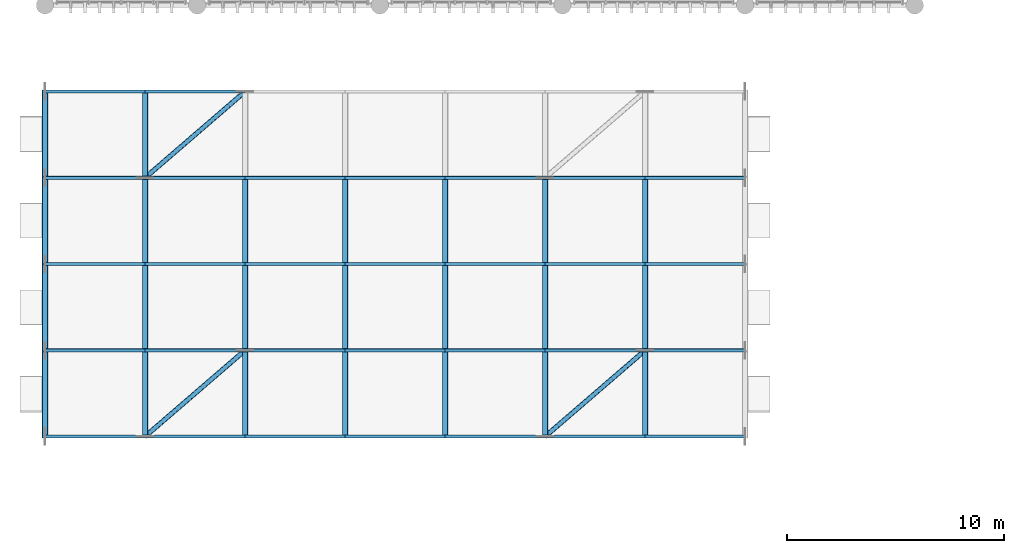
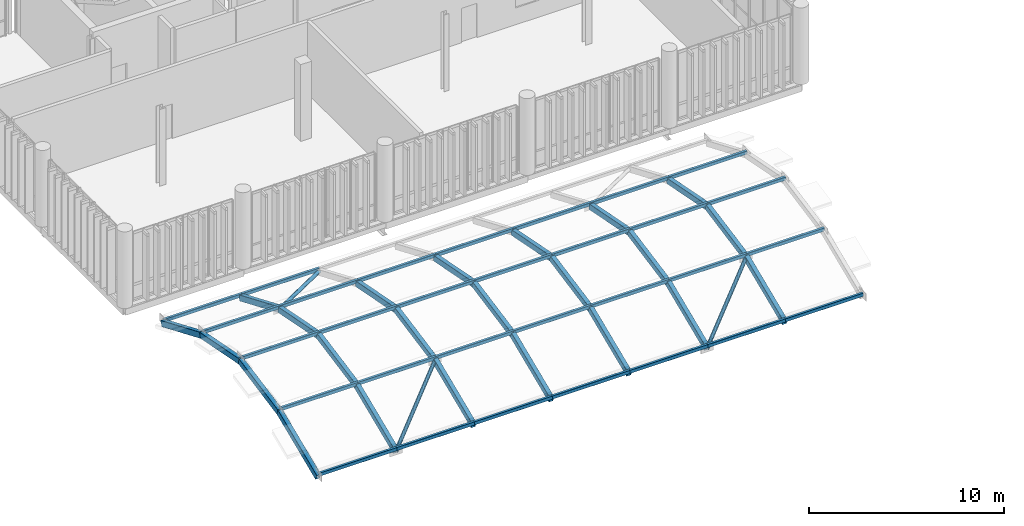
# One storey, part 11 of 94: 33 members, 23 beams.
"""IFC4 building model written with IfcOpenShell, lengths in metres."""

from ifc_helpers import new_model, si_unit, direction, frame, origin_with_axes, origin_2d_with_axis, place, context, subcontext, project, spatial, hollow_rectangle, hollow_circle, extrude, material, material_profile, profile_set, type_object, element, save


model = new_model("IFC4")

# Units and contexts
model_context = context("Model", 3, precision=1e-05, world=origin_with_axes(), true_north=direction((0.0, 1.0)))
body_context = subcontext(model_context, "Body", "Model", "MODEL_VIEW")
ifc_project = project(units=[si_unit("LENGTHUNIT", "METRE"), si_unit("AREAUNIT", "SQUARE_METRE"), si_unit("VOLUMEUNIT", "CUBIC_METRE"), si_unit("PLANEANGLEUNIT", "RADIAN"), si_unit("MASSUNIT", "GRAM", prefix="KILO"), si_unit("THERMODYNAMICTEMPERATUREUNIT", "KELVIN")], contexts=[model_context])

# Site, building, storey
site_placement = place(None, origin_with_axes())
site = spatial("IfcSite", under=ifc_project, at=site_placement, CompositionType="ELEMENT")
building_placement = place(site_placement, origin_with_axes())
building = spatial("IfcBuilding", under=site, at=building_placement, Name="Montbau Bow Law Courts", CompositionType="ELEMENT")
storey_placement = place(building_placement, frame((0.0, 0.0, 15.6), z_axis=(0.0, 0.0, 1.0), x_axis=(1.0, 0.0, 0.0)))
storey = spatial("IfcBuildingStorey", under=building, at=storey_placement, Name="L03", CompositionType="ELEMENT", Elevation=15.6)

# Beams
ifc_material = material(Name="Steel CSA G40.21 Grade 350WT (350 MPa)", Category="steel")
ifc_material_profile_1 = material_profile(ifc_material, hollow_rectangle(XDim=0.254, YDim=0.356, WallThickness=0.0127, InnerFilletRadius=0.0254, OuterFilletRadius=0.0127, at=origin_2d_with_axis()), Name="HSS356X254X13", Category="Main", Priority=0)
ifc_profile_set_1 = profile_set([ifc_material_profile_1], Name="Steel CSA G40.21 Grade 350WT (350 MPa)")
beam_type = type_object("IfcBeamType", Name="B-ARC-01", PredefinedType="USERDEFINED", material=ifc_profile_set_1)
beam_1_placement = place(None, frame((6.8, 10.767, 16.836), z_axis=(0.0, 0.921210714, 0.389064031), x_axis=(-1.0, 0.0, 0.0)))
element("IfcBeam", 1, at=beam_1_placement, inside=storey, type_object=beam_type, Name="Barrel vault roof truss arch rib V1-002", ObjectType="ARCH_RIB", PredefinedType="USERDEFINED", context=body_context, shape_type="SweptSolid", body=[
    extrude(hollow_rectangle(XDim=0.254, YDim=0.356, WallThickness=0.0127, InnerFilletRadius=0.0254, OuterFilletRadius=0.0127, at=origin_2d_with_axis()), origin_with_axes(), (0.0, 0.0, 1.0), 4.305204),
])
for number, where, z_axis, x_axis, name in (
    (2, (6.8, 14.733, 18.511), (0.0, 0.981492861, 0.191498733), (-1.0, 0.0, 0.0), "Barrel vault roof truss arch rib V1-003"),
    (3, (6.8, 18.7, 19.285), (0.0, 0.981492861, -0.191498733), (-1.0, 0.0, 0.0), "Barrel vault roof truss arch rib V1-004"),
):
    element("IfcBeam", number, at=place(None, frame(where, z_axis=z_axis, x_axis=x_axis)), inside=storey, type_object=beam_type, Name=name, ObjectType="ARCH_RIB", PredefinedType="USERDEFINED", context=body_context, shape_type="SweptSolid", body=[
        extrude(hollow_rectangle(XDim=0.254, YDim=0.356, WallThickness=0.0127, InnerFilletRadius=0.0254, OuterFilletRadius=0.0127, at=origin_2d_with_axis()), origin_with_axes(), (0.0, 0.0, 1.0), 4.041802),
    ])
for number, where, z_axis, x_axis, name in (
    (4, (6.8, 22.667, 18.511), (0.0, 0.921210714, -0.389064031), (-1.0, 0.0, 0.0), "Barrel vault roof truss arch rib V1-005"),
    (5, (11.4, 10.767, 16.836), (0.0, 0.921210714, 0.389064031), (-1.0, 0.0, 0.0), "Barrel vault roof truss arch rib V1-008"),
):
    element("IfcBeam", number, at=place(None, frame(where, z_axis=z_axis, x_axis=x_axis)), inside=storey, type_object=beam_type, Name=name, ObjectType="ARCH_RIB", PredefinedType="USERDEFINED", context=body_context, shape_type="SweptSolid", body=[
        extrude(hollow_rectangle(XDim=0.254, YDim=0.356, WallThickness=0.0127, InnerFilletRadius=0.0254, OuterFilletRadius=0.0127, at=origin_2d_with_axis()), origin_with_axes(), (0.0, 0.0, 1.0), 4.305204),
    ])
for number, where, z_axis, x_axis, name in (
    (6, (11.4, 14.733, 18.511), (0.0, 0.981492861, 0.191498733), (-1.0, 0.0, 0.0), "Barrel vault roof truss arch rib V1-009"),
    (7, (11.4, 18.7, 19.285), (0.0, 0.981492861, -0.191498733), (-1.0, 0.0, 0.0), "Barrel vault roof truss arch rib V1-010"),
):
    element("IfcBeam", number, at=place(None, frame(where, z_axis=z_axis, x_axis=x_axis)), inside=storey, type_object=beam_type, Name=name, ObjectType="ARCH_RIB", PredefinedType="USERDEFINED", context=body_context, shape_type="SweptSolid", body=[
        extrude(hollow_rectangle(XDim=0.254, YDim=0.356, WallThickness=0.0127, InnerFilletRadius=0.0254, OuterFilletRadius=0.0127, at=origin_2d_with_axis()), origin_with_axes(), (0.0, 0.0, 1.0), 4.041802),
    ])
for number, where, z_axis, x_axis, name in (
    (8, (11.4, 22.667, 18.511), (0.0, 0.921210714, -0.389064031), (-1.0, 0.0, 0.0), "Barrel vault roof truss arch rib V1-011"),
    (9, (16.0, 10.767, 16.836), (0.0, 0.921210714, 0.389064031), (-1.0, 0.0, 0.0), "Barrel vault roof truss arch rib V1-014"),
):
    element("IfcBeam", number, at=place(None, frame(where, z_axis=z_axis, x_axis=x_axis)), inside=storey, type_object=beam_type, Name=name, ObjectType="ARCH_RIB", PredefinedType="USERDEFINED", context=body_context, shape_type="SweptSolid", body=[
        extrude(hollow_rectangle(XDim=0.254, YDim=0.356, WallThickness=0.0127, InnerFilletRadius=0.0254, OuterFilletRadius=0.0127, at=origin_2d_with_axis()), origin_with_axes(), (0.0, 0.0, 1.0), 4.305204),
    ])
for number, where, z_axis, x_axis, name in (
    (10, (16.0, 14.733, 18.511), (0.0, 0.981492861, 0.191498733), (-1.0, 0.0, 0.0), "Barrel vault roof truss arch rib V1-015"),
    (11, (16.0, 18.7, 19.285), (0.0, 0.981492861, -0.191498733), (-1.0, 0.0, 0.0), "Barrel vault roof truss arch rib V1-016"),
):
    element("IfcBeam", number, at=place(None, frame(where, z_axis=z_axis, x_axis=x_axis)), inside=storey, type_object=beam_type, Name=name, ObjectType="ARCH_RIB", PredefinedType="USERDEFINED", context=body_context, shape_type="SweptSolid", body=[
        extrude(hollow_rectangle(XDim=0.254, YDim=0.356, WallThickness=0.0127, InnerFilletRadius=0.0254, OuterFilletRadius=0.0127, at=origin_2d_with_axis()), origin_with_axes(), (0.0, 0.0, 1.0), 4.041802),
    ])
beam_2_placement = place(None, frame((20.6, 10.767, 16.836), z_axis=(0.0, 0.921210714, 0.389064031), x_axis=(-1.0, 0.0, 0.0)))
element("IfcBeam", 12, at=beam_2_placement, inside=storey, type_object=beam_type, Name="Barrel vault roof truss arch rib V1-020", ObjectType="ARCH_RIB", PredefinedType="USERDEFINED", context=body_context, shape_type="SweptSolid", body=[
    extrude(hollow_rectangle(XDim=0.254, YDim=0.356, WallThickness=0.0127, InnerFilletRadius=0.0254, OuterFilletRadius=0.0127, at=origin_2d_with_axis()), origin_with_axes(), (0.0, 0.0, 1.0), 4.305204),
])
for number, where, z_axis, x_axis, name in (
    (13, (20.6, 14.733, 18.511), (0.0, 0.981492861, 0.191498733), (-1.0, 0.0, 0.0), "Barrel vault roof truss arch rib V1-021"),
    (14, (20.6, 18.7, 19.285), (0.0, 0.981492861, -0.191498733), (-1.0, 0.0, 0.0), "Barrel vault roof truss arch rib V1-022"),
):
    element("IfcBeam", number, at=place(None, frame(where, z_axis=z_axis, x_axis=x_axis)), inside=storey, type_object=beam_type, Name=name, ObjectType="ARCH_RIB", PredefinedType="USERDEFINED", context=body_context, shape_type="SweptSolid", body=[
        extrude(hollow_rectangle(XDim=0.254, YDim=0.356, WallThickness=0.0127, InnerFilletRadius=0.0254, OuterFilletRadius=0.0127, at=origin_2d_with_axis()), origin_with_axes(), (0.0, 0.0, 1.0), 4.041802),
    ])
beam_3_placement = place(None, frame((25.2, 10.767, 16.836), z_axis=(0.0, 0.921210714, 0.389064031), x_axis=(-1.0, 0.0, 0.0)))
element("IfcBeam", 15, at=beam_3_placement, inside=storey, type_object=beam_type, Name="Barrel vault roof truss arch rib V1-026", ObjectType="ARCH_RIB", PredefinedType="USERDEFINED", context=body_context, shape_type="SweptSolid", body=[
    extrude(hollow_rectangle(XDim=0.254, YDim=0.356, WallThickness=0.0127, InnerFilletRadius=0.0254, OuterFilletRadius=0.0127, at=origin_2d_with_axis()), origin_with_axes(), (0.0, 0.0, 1.0), 4.305204),
])
for number, where, z_axis, x_axis, name in (
    (16, (25.2, 14.733, 18.511), (0.0, 0.981492861, 0.191498733), (-1.0, 0.0, 0.0), "Barrel vault roof truss arch rib V1-027"),
    (17, (25.2, 18.7, 19.285), (0.0, 0.981492861, -0.191498733), (-1.0, 0.0, 0.0), "Barrel vault roof truss arch rib V1-028"),
):
    element("IfcBeam", number, at=place(None, frame(where, z_axis=z_axis, x_axis=x_axis)), inside=storey, type_object=beam_type, Name=name, ObjectType="ARCH_RIB", PredefinedType="USERDEFINED", context=body_context, shape_type="SweptSolid", body=[
        extrude(hollow_rectangle(XDim=0.254, YDim=0.356, WallThickness=0.0127, InnerFilletRadius=0.0254, OuterFilletRadius=0.0127, at=origin_2d_with_axis()), origin_with_axes(), (0.0, 0.0, 1.0), 4.041802),
    ])
beam_4_placement = place(None, frame((29.8, 10.767, 16.836), z_axis=(0.0, 0.921210714, 0.389064031), x_axis=(-1.0, 0.0, 0.0)))
element("IfcBeam", 18, at=beam_4_placement, inside=storey, type_object=beam_type, Name="Barrel vault roof truss arch rib V1-032", ObjectType="ARCH_RIB", PredefinedType="USERDEFINED", context=body_context, shape_type="SweptSolid", body=[
    extrude(hollow_rectangle(XDim=0.254, YDim=0.356, WallThickness=0.0127, InnerFilletRadius=0.0254, OuterFilletRadius=0.0127, at=origin_2d_with_axis()), origin_with_axes(), (0.0, 0.0, 1.0), 4.305204),
])
for number, where, z_axis, x_axis, name in (
    (19, (29.8, 14.733, 18.511), (0.0, 0.981492861, 0.191498733), (-1.0, 0.0, 0.0), "Barrel vault roof truss arch rib V1-033"),
    (20, (29.8, 18.7, 19.285), (0.0, 0.981492861, -0.191498733), (-1.0, 0.0, 0.0), "Barrel vault roof truss arch rib V1-034"),
):
    element("IfcBeam", number, at=place(None, frame(where, z_axis=z_axis, x_axis=x_axis)), inside=storey, type_object=beam_type, Name=name, ObjectType="ARCH_RIB", PredefinedType="USERDEFINED", context=body_context, shape_type="SweptSolid", body=[
        extrude(hollow_rectangle(XDim=0.254, YDim=0.356, WallThickness=0.0127, InnerFilletRadius=0.0254, OuterFilletRadius=0.0127, at=origin_2d_with_axis()), origin_with_axes(), (0.0, 0.0, 1.0), 4.041802),
    ])
beam_5_placement = place(None, frame((34.4, 10.767, 16.836), z_axis=(0.0, 0.921210714, 0.389064031), x_axis=(-1.0, 0.0, 0.0)))
element("IfcBeam", 21, at=beam_5_placement, inside=storey, type_object=beam_type, Name="Barrel vault roof truss arch rib V1-038", ObjectType="ARCH_RIB", PredefinedType="USERDEFINED", context=body_context, shape_type="SweptSolid", body=[
    extrude(hollow_rectangle(XDim=0.254, YDim=0.356, WallThickness=0.0127, InnerFilletRadius=0.0254, OuterFilletRadius=0.0127, at=origin_2d_with_axis()), origin_with_axes(), (0.0, 0.0, 1.0), 4.305204),
])
for number, where, z_axis, x_axis, name in (
    (22, (34.4, 14.733, 18.511), (0.0, 0.981492861, 0.191498733), (-1.0, 0.0, 0.0), "Barrel vault roof truss arch rib V1-039"),
    (23, (34.4, 18.7, 19.285), (0.0, 0.981492861, -0.191498733), (-1.0, 0.0, 0.0), "Barrel vault roof truss arch rib V1-040"),
):
    element("IfcBeam", number, at=place(None, frame(where, z_axis=z_axis, x_axis=x_axis)), inside=storey, type_object=beam_type, Name=name, ObjectType="ARCH_RIB", PredefinedType="USERDEFINED", context=body_context, shape_type="SweptSolid", body=[
        extrude(hollow_rectangle(XDim=0.254, YDim=0.356, WallThickness=0.0127, InnerFilletRadius=0.0254, OuterFilletRadius=0.0127, at=origin_2d_with_axis()), origin_with_axes(), (0.0, 0.0, 1.0), 4.041802),
    ])

# Members
ifc_material_profile_2 = material_profile(ifc_material, hollow_circle(Radius=0.1095, WallThickness=0.0111, at=origin_2d_with_axis()), Name="HSS219X11", Category="Main", Priority=0)
ifc_profile_set_2 = profile_set([ifc_material_profile_2], Name="Steel CSA G40.21 Grade 350WT (350 MPa)")
member_type_1 = type_object("IfcMemberType", Name="M-BRC-04", PredefinedType="BRACE", material=ifc_profile_set_2)
for number, where, z_axis, x_axis, name in (
    (24, (11.4, 10.767, 16.836), (0.730114757, 0.629485897, 0.265857004), (-0.652985219, 0.757370652, 0.0), "Diagonal brace VBR-V1-081"),
    (25, (11.4, 22.667, 18.511), (0.730114757, 0.629485897, -0.265857004), (-0.652985219, 0.757370652, 0.0), "Diagonal brace VBR-V1-082"),
    (26, (29.8, 10.767, 16.836), (0.730114757, 0.629485897, 0.265857004), (-0.652985219, 0.757370652, 0.0), "Diagonal brace VBR-V1-083"),
):
    element("IfcMember", number, at=place(None, frame(where, z_axis=z_axis, x_axis=x_axis)), inside=storey, type_object=member_type_1, Name=name, PredefinedType="BRACE", context=body_context, shape_type="SweptSolid", body=[
        extrude(hollow_circle(Radius=0.1095, WallThickness=0.0111, at=origin_2d_with_axis()), origin_with_axes(), (0.0, 0.0, 1.0), 6.300379),
    ])
ifc_material_profile_3 = material_profile(ifc_material, hollow_rectangle(XDim=0.152, YDim=0.203, WallThickness=0.0095, InnerFilletRadius=0.019, OuterFilletRadius=0.0095, at=origin_2d_with_axis()), Name="HSS203X152X9.5", Category="Main", Priority=0)
ifc_profile_set_3 = profile_set([ifc_material_profile_3], Name="Steel CSA G40.21 Grade 350WT (350 MPa)")
member_type_2 = type_object("IfcMemberType", Name="M-PUR-01", PredefinedType="PURLIN", material=ifc_profile_set_3)
for number, where, z_axis, x_axis, name in (
    (27, (6.8, 10.767, 16.994), (1.0, 0.0, 0.0), (0.0, 1.0, 0.0), "Barrel vault roof truss purlin V1-002"),
    (28, (6.8, 14.733, 18.669), (1.0, 0.0, 0.0), (0.0, 1.0, 0.0), "Barrel vault roof truss purlin V1-003"),
    (29, (6.8, 18.7, 19.443), (1.0, 0.0, 0.0), (0.0, 1.0, 0.0), "Barrel vault roof truss purlin V1-004"),
    (30, (6.8, 22.667, 18.669), (1.0, 0.0, 0.0), (0.0, 1.0, 0.0), "Barrel vault roof truss purlin V1-005"),
    (31, (6.8, 26.633, 16.994), (1.0, 0.0, 0.0), (0.0, 1.0, 0.0), "Barrel vault roof truss purlin V1-006"),
    (32, (11.4, 10.767, 16.994), (1.0, 0.0, 0.0), (0.0, 1.0, 0.0), "Barrel vault roof truss purlin V1-009"),
    (33, (11.4, 14.733, 18.669), (1.0, 0.0, 0.0), (0.0, 1.0, 0.0), "Barrel vault roof truss purlin V1-010"),
    (34, (11.4, 18.7, 19.443), (1.0, 0.0, 0.0), (0.0, 1.0, 0.0), "Barrel vault roof truss purlin V1-011"),
    (35, (11.4, 22.667, 18.669), (1.0, 0.0, 0.0), (0.0, 1.0, 0.0), "Barrel vault roof truss purlin V1-012"),
    (36, (11.4, 26.633, 16.994), (1.0, 0.0, 0.0), (0.0, 1.0, 0.0), "Barrel vault roof truss purlin V1-013"),
    (37, (16.0, 10.767, 16.994), (1.0, 0.0, 0.0), (0.0, 1.0, 0.0), "Barrel vault roof truss purlin V1-016"),
    (38, (16.0, 14.733, 18.669), (1.0, 0.0, 0.0), (0.0, 1.0, 0.0), "Barrel vault roof truss purlin V1-017"),
    (39, (16.0, 18.7, 19.443), (1.0, 0.0, 0.0), (0.0, 1.0, 0.0), "Barrel vault roof truss purlin V1-018"),
    (40, (16.0, 22.667, 18.669), (1.0, 0.0, 0.0), (0.0, 1.0, 0.0), "Barrel vault roof truss purlin V1-019"),
    (41, (20.6, 10.767, 16.994), (1.0, 0.0, 0.0), (0.0, 1.0, 0.0), "Barrel vault roof truss purlin V1-023"),
    (42, (20.6, 14.733, 18.669), (1.0, 0.0, 0.0), (0.0, 1.0, 0.0), "Barrel vault roof truss purlin V1-024"),
    (43, (20.6, 18.7, 19.443), (1.0, 0.0, 0.0), (0.0, 1.0, 0.0), "Barrel vault roof truss purlin V1-025"),
    (44, (20.6, 22.667, 18.669), (1.0, 0.0, 0.0), (0.0, 1.0, 0.0), "Barrel vault roof truss purlin V1-026"),
    (45, (25.2, 10.767, 16.994), (1.0, 0.0, 0.0), (0.0, 1.0, 0.0), "Barrel vault roof truss purlin V1-030"),
    (46, (25.2, 14.733, 18.669), (1.0, 0.0, 0.0), (0.0, 1.0, 0.0), "Barrel vault roof truss purlin V1-031"),
    (47, (25.2, 18.7, 19.443), (1.0, 0.0, 0.0), (0.0, 1.0, 0.0), "Barrel vault roof truss purlin V1-032"),
    (48, (25.2, 22.667, 18.669), (1.0, 0.0, 0.0), (0.0, 1.0, 0.0), "Barrel vault roof truss purlin V1-033"),
    (49, (29.8, 10.767, 16.994), (1.0, 0.0, 0.0), (0.0, 1.0, 0.0), "Barrel vault roof truss purlin V1-037"),
    (50, (29.8, 14.733, 18.669), (1.0, 0.0, 0.0), (0.0, 1.0, 0.0), "Barrel vault roof truss purlin V1-038"),
    (51, (29.8, 18.7, 19.443), (1.0, 0.0, 0.0), (0.0, 1.0, 0.0), "Barrel vault roof truss purlin V1-039"),
    (52, (29.8, 22.667, 18.669), (1.0, 0.0, 0.0), (0.0, 1.0, 0.0), "Barrel vault roof truss purlin V1-040"),
    (53, (34.4, 10.767, 16.994), (1.0, 0.0, 0.0), (0.0, 1.0, 0.0), "Barrel vault roof truss purlin V1-044"),
    (54, (34.4, 14.733, 18.669), (1.0, 0.0, 0.0), (0.0, 1.0, 0.0), "Barrel vault roof truss purlin V1-045"),
    (55, (34.4, 18.7, 19.443), (1.0, 0.0, 0.0), (0.0, 1.0, 0.0), "Barrel vault roof truss purlin V1-046"),
    (56, (34.4, 22.667, 18.669), (1.0, 0.0, 0.0), (0.0, 1.0, 0.0), "Barrel vault roof truss purlin V1-047"),
):
    element("IfcMember", number, at=place(None, frame(where, z_axis=z_axis, x_axis=x_axis)), inside=storey, type_object=member_type_2, Name=name, PredefinedType="PURLIN", context=body_context, shape_type="SweptSolid", body=[
        extrude(hollow_rectangle(XDim=0.152, YDim=0.203, WallThickness=0.0095, InnerFilletRadius=0.019, OuterFilletRadius=0.0095, at=origin_2d_with_axis()), origin_with_axes(), (0.0, 0.0, 1.0), 4.6),
    ])

save(model, "model.ifc")
